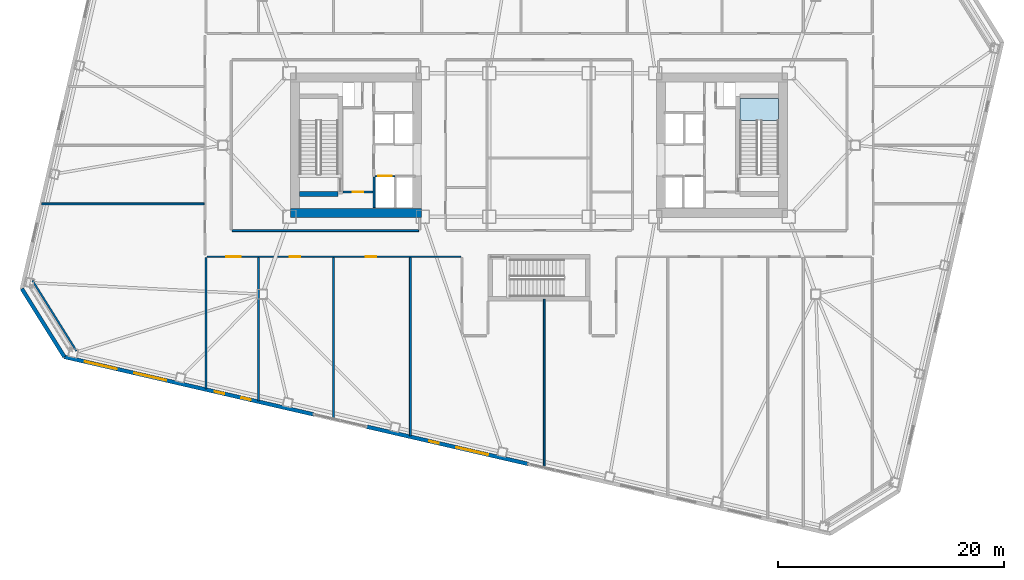
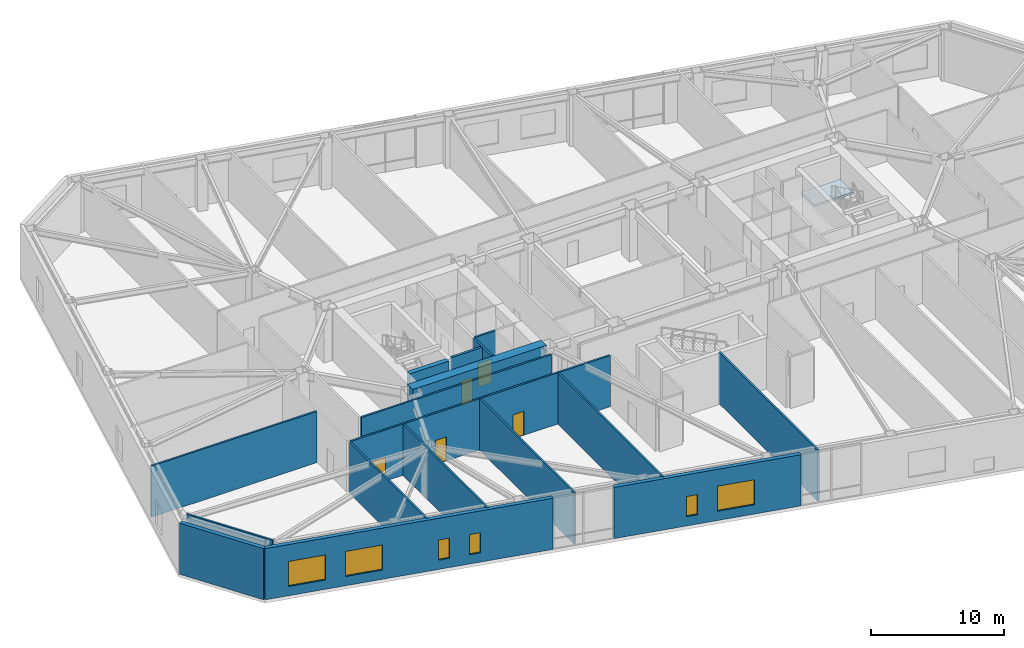
# One storey, part 9 of 20: 17 walls, 6 windows, 5 doors, 1 slab, 11 openings, 1 element without a shape of its own.
"""IFC4 building model written with IfcOpenShell, lengths in metres."""

import ifcopenshell
import ifcopenshell.guid

model = None  # the IFC model being written
_history = None  # IfcOwnerHistory: only IFC2X3 demands one
_inside = {}  # id of a spatial element -> (the spatial element, [elements in it])
_under = {}  # id of a project, library or spatial element -> (it, [spatial elements below it])
_declared = {}  # id of a project -> (the project, [libraries it declares])
_typed = {}  # id of a type object -> (the type object, [elements of that type])
_made_of = {}  # id of a material, layer set ... -> (it, [elements and type objects made of it])


def new_model(schema):
    """Start an empty IFC model of exactly this schema.

    Asked for "IFC4X3", IfcOpenShell would pick the latest addendum, in which some entities
    have other attributes; the version numbers below select the first issue.
    IFC2X3 requires an IfcOwnerHistory on every rooted entity: one is made here for all.
    """
    global model, _history
    if schema == "IFC4X3":
        model = ifcopenshell.file(schema_version=(4, 3, 0, 0))
    else:
        model = ifcopenshell.file(schema=schema)
    _inside.clear()
    _under.clear()
    _declared.clear()
    _typed.clear()
    _made_of.clear()
    _history = None
    if model.schema == "IFC2X3":
        org = make("IfcOrganization", Name="unknown")
        user = make(
            "IfcPersonAndOrganization",
            ThePerson=make("IfcPerson", FamilyName="unknown"),
            TheOrganization=org,
        )
        app = make(
            "IfcApplication",
            ApplicationDeveloper=org,
            Version="unknown",
            ApplicationFullName="unknown",
            ApplicationIdentifier="unknown",
        )
        _history = make(
            "IfcOwnerHistory",
            OwningUser=user,
            OwningApplication=app,
            ChangeAction="ADDED",
            CreationDate=0,
        )
    return model


def make(cls, **values):
    """One entity of the class cls with the attributes given. An attribute that is None is left unset."""
    return model.create_entity(
        cls, **{name: value for name, value in values.items() if value is not None}
    )


def rooted(cls, **values):
    """An entity with a GlobalId (a new one), such as an element, a storey or a relation."""
    return make(cls, GlobalId=ifcopenshell.guid.new(), OwnerHistory=_history, **values)


def si_unit(unit_type, name, prefix=None):
    """IfcSIUnit, for example si_unit("LENGTHUNIT", "METRE", prefix="MILLI")."""
    return make("IfcSIUnit", UnitType=unit_type, Prefix=prefix, Name=name)


def assignment(units):
    """IfcUnitAssignment: the units of a project."""
    return None if units is None else make("IfcUnitAssignment", Units=units)


def point(xyz):
    """IfcCartesianPoint."""
    return None if xyz is None else make("IfcCartesianPoint", Coordinates=xyz)


def direction(xyz):
    """IfcDirection."""
    return None if xyz is None else make("IfcDirection", DirectionRatios=xyz)


def frame(location, z_axis=None, x_axis=None):
    """IfcAxis2Placement3D, a coordinate frame: its origin and axes. An axis left out is left unset."""
    return make(
        "IfcAxis2Placement3D",
        Location=point(location),
        Axis=direction(z_axis),
        RefDirection=direction(x_axis),
    )


def frame_2d(location, x_axis=None):
    """IfcAxis2Placement2D, a coordinate frame in the plane: its origin and x axis."""
    return make(
        "IfcAxis2Placement2D", Location=point(location), RefDirection=direction(x_axis)
    )


def origin():
    """The frame at (0, 0, 0) with its axes left unset."""
    return frame((0.0, 0.0, 0.0))


def place(relative_to, where):
    """IfcLocalPlacement: puts the frame where relative to a parent placement (None: the world)."""
    return make(
        "IfcLocalPlacement", PlacementRelTo=relative_to, RelativePlacement=where
    )


def context(
    kind, dimensions, precision=None, world=None, true_north=None, identifier=None
):
    """IfcGeometricRepresentationContext, for example the 3D "Model" context."""
    return make(
        "IfcGeometricRepresentationContext",
        ContextIdentifier=identifier,
        ContextType=kind,
        CoordinateSpaceDimension=dimensions,
        Precision=precision,
        WorldCoordinateSystem=world,
        TrueNorth=true_north,
    )


def subcontext(parent, identifier, kind, view, scale=None):
    """IfcGeometricRepresentationSubContext, for example "Body" below "Model"."""
    return make(
        "IfcGeometricRepresentationSubContext",
        ContextIdentifier=identifier,
        ContextType=kind,
        ParentContext=parent,
        TargetScale=scale,
        TargetView=view,
    )


def project(units=None, contexts=None):
    """IfcProject with its units and contexts."""
    return rooted(
        "IfcProject",
        Name="project",
        RepresentationContexts=contexts,
        UnitsInContext=assignment(units),
    )


def spatial(cls, under=None, at=None, **own):
    """A site, building, storey or space (cls), placed at a placement, below another one or the project."""
    s = rooted(cls, ObjectPlacement=at, **own)
    if under is not None:
        _under.setdefault(under.id(), (under, []))[1].append(s)
    return s


def polyline(points):
    """IfcPolyline through the points."""
    return make("IfcPolyline", Points=[point(p) for p in points])


def profile(cls, at=None, kind="AREA", **sizes):
    """A parametric profile (cls). Its sizes go by their IFC names, for example OverallWidth=200.0."""
    return make(cls, ProfileType=kind, Position=at, **sizes)


def rectangle(**sizes):
    """IfcRectangleProfileDef."""
    return profile("IfcRectangleProfileDef", **sizes)


def outline(outer, holes=None, kind="AREA"):
    """IfcArbitraryClosedProfileDef: a profile drawn as a closed curve; with holes, ...WithVoids."""
    if holes is None:
        return make("IfcArbitraryClosedProfileDef", ProfileType=kind, OuterCurve=outer)
    return make(
        "IfcArbitraryProfileDefWithVoids",
        ProfileType=kind,
        OuterCurve=outer,
        InnerCurves=holes,
    )


def extrude(swept, where, along, depth):
    """IfcExtrudedAreaSolid: the profile swept, set in the frame where, extruded along a direction by depth."""
    return make(
        "IfcExtrudedAreaSolid",
        SweptArea=swept,
        Position=where,
        ExtrudedDirection=direction(along),
        Depth=depth,
    )


def shape(context_of_items, identifier, shape_type, items):
    """IfcShapeRepresentation: the items that make up one representation, for example the "Body"."""
    return make(
        "IfcShapeRepresentation",
        ContextOfItems=context_of_items,
        RepresentationIdentifier=identifier,
        RepresentationType=shape_type,
        Items=items,
    )


def material(Name=None, Category=None):
    """IfcMaterial."""
    return make("IfcMaterial", Name=Name, Category=Category)


def layer(
    of_material, thickness, ventilated=None, Name=None, Category=None, Priority=None
):
    """IfcMaterialLayer: one layer of a wall or slab, of a material (None: an air gap)."""
    return make(
        "IfcMaterialLayer",
        Material=of_material,
        LayerThickness=thickness,
        IsVentilated=ventilated,
        Name=Name,
        Category=Category,
        Priority=Priority,
    )


def layer_set(layers, Name=None):
    """IfcMaterialLayerSet."""
    return make("IfcMaterialLayerSet", MaterialLayers=layers, LayerSetName=Name)


def made_of(thing, what):
    """Note that an element or type object is made of a material, layer set ...; save() writes the relation."""
    if what is not None:
        _made_of.setdefault(what.id(), (what, []))[1].append(thing)
    return thing


def type_object(cls, material=None, **own):
    """A type object (cls), such as IfcWallType, which elements share."""
    return made_of(rooted(cls, **own), material)


def element(
    cls,
    number,
    at=None,
    inside=None,
    cuts=None,
    type_object=None,
    material=None,
    context=None,
    identifier="Body",
    shape_type=None,
    held_by="IfcProductDefinitionShape",
    body=None,
    shapes=None,
    **own,
):
    """One element of the class cls, such as IfcWall. Its Tag is "e" and its number.

    at: its placement. inside: the storey or other place that contains it. cuts: it is an
    opening in that element (IfcRelVoidsElement). A single representation is given by context,
    identifier, shape_type and body (its items); several are given by shapes. held_by: the class
    of the entity that holds the representations. save() writes the other relations.
    """
    e = rooted(cls, Tag="e%d" % number, ObjectPlacement=at, **own)
    if body is not None:
        shapes = [shape(context, identifier, shape_type, body)]
    if shapes is not None:
        e.Representation = make(held_by, Representations=shapes)
    if inside is not None:
        _inside.setdefault(inside.id(), (inside, []))[1].append(e)
    if cuts is not None:
        rooted(
            "IfcRelVoidsElement", RelatingBuildingElement=cuts, RelatedOpeningElement=e
        )
    if type_object is not None:
        _typed.setdefault(type_object.id(), (type_object, []))[1].append(e)
    return made_of(e, material)


def fill(opening, filler):
    """IfcRelFillsElement: the door or window that sits in an opening."""
    return rooted(
        "IfcRelFillsElement",
        RelatingOpeningElement=opening,
        RelatedBuildingElement=filler,
    )


def aggregate(whole, parts):
    """IfcRelAggregates: a whole, such as a stair, and the parts it consists of."""
    return rooted("IfcRelAggregates", RelatingObject=whole, RelatedObjects=parts)


def save(model, path):
    """Write the relations noted so far, then the file.

    IfcRelAggregates (storeys below a building ...), IfcRelContainedInSpatialStructure (elements
    in a storey), IfcRelDefinesByType, IfcRelAssociatesMaterial and IfcRelDeclares: one each for
    every whole, place, type object, material and project.
    """
    for whole, parts in _under.values():
        aggregate(whole, parts)
    for where, things in _inside.values():
        rooted(
            "IfcRelContainedInSpatialStructure",
            RelatedElements=things,
            RelatingStructure=where,
        )
    for kind, things in _typed.values():
        rooted("IfcRelDefinesByType", RelatedObjects=things, RelatingType=kind)
    for what, things in _made_of.values():
        rooted("IfcRelAssociatesMaterial", RelatedObjects=things, RelatingMaterial=what)
    for by, libraries in _declared.values():
        rooted("IfcRelDeclares", RelatingContext=by, RelatedDefinitions=libraries)
    model.write(path)


model = new_model("IFC4")

# Units and contexts
model_context = context("Model", 3, precision=1e-05, world=origin(), true_north=direction((0.0, 1.0)))
body_context = subcontext(model_context, "Body", "Model", "MODEL_VIEW")
ifc_project = project(units=[si_unit("LENGTHUNIT", "METRE"), si_unit("AREAUNIT", "SQUARE_METRE"), si_unit("VOLUMEUNIT", "CUBIC_METRE"), si_unit("PLANEANGLEUNIT", "RADIAN"), si_unit("MASSUNIT", "GRAM", prefix="KILO")], contexts=[model_context])

# Site, building, storey
site_placement = place(None, origin())
site = spatial("IfcSite", under=ifc_project, at=site_placement, CompositionType="ELEMENT")
building_placement = place(site_placement, origin())
building = spatial("IfcBuilding", under=site, at=building_placement, Name="Tavrogorsk Clinical Tower", CompositionType="ELEMENT")
storey_placement = place(building_placement, frame((0.0, 0.0, 23.39990234375)))
storey = spatial("IfcBuildingStorey", under=building, at=storey_placement, Name="L04", CompositionType="ELEMENT", Elevation=23.39990234375)

# Stair, slab
ifc_material_1 = material(Name="Concrete B60", Category="concrete")
stair_type = type_object("IfcStairType", Name="CoreStairAssembly", PredefinedType="HALF_TURN_STAIR", material=ifc_material_1)
stair_placement = place(storey_placement, origin())
stair = element("IfcStair", 1, at=stair_placement, inside=storey, type_object=stair_type, Name="L04 ST-E", PredefinedType="HALF_TURN_STAIR")
ifc_material_2 = material(Name="Concrete B60", Category="concrete")
ifc_layer_1 = layer(ifc_material_2, 0.199951171875)
ifc_layer_set_1 = layer_set([ifc_layer_1], Name="Concrete B60")
slab_type = type_object("IfcSlabType", Name="StairLanding_200", PredefinedType="LANDING", material=ifc_layer_set_1)
slab_placement = place(storey_placement, frame((0.0, 0.0, 2.300048828125)))
slab = element("IfcSlab", 2, at=slab_placement, type_object=slab_type, Name="ST-E landing 1", PredefinedType="LANDING", context=body_context, shape_type="SweptSolid", body=[
    extrude(outline(polyline([(21.199951171875, 2.18505859375), (21.199951171875, 4.125), (17.800048828125, 4.125), (17.800048828125, 2.18505859375), (21.199951171875, 2.18505859375)])), origin(), (0.0, 0.0, 1.0), 0.199951171875),
])
aggregate(stair, [slab])

# Wall, opening, door
ifc_material_3 = material(Name="Concrete B60", Category="concrete")
ifc_layer_2 = layer(ifc_material_3, 0.199951171875)
ifc_layer_set_2 = layer_set([ifc_layer_2], Name="Concrete B60")
wall_type_1 = type_object("IfcWallType", Name="CoreFireWall_200", PredefinedType="SOLIDWALL", material=ifc_layer_set_2)
wall_1_placement = place(storey_placement, frame((-17.3798828125, -4.139892578125, 0.0), z_axis=(0.0, 0.0, 1.0), x_axis=(1.0, 0.0, 0.0)))
wall_1 = element("IfcWall", 3, at=wall_1_placement, inside=storey, type_object=wall_type_1, Name="L04 Core West South Core Room Fire Wall", PredefinedType="SOLIDWALL", context=body_context, shape_type="SweptSolid", body=[
    extrude(rectangle(XDim=2.659912109375, YDim=0.199951171875, at=frame_2d((1.330078125, 0.0))), origin(), (0.0, 0.0, 1.0), 4.7001953125),
])
opening_1_placement = place(wall_1_placement, frame((0.8798828125, 0.0, 0.0)))
opening_1 = element("IfcOpeningElement", 4, at=opening_1_placement, cuts=wall_1, Name="Opening ID-02", PredefinedType="OPENING", context=body_context, shape_type="SweptSolid", body=[
    extrude(rectangle(XDim=0.949951171875, YDim=2.199951171875, at=frame_2d((0.47509765625, 1.10009765625))), frame((0.0, 0.10986328125, 0.0), z_axis=(0.0, -1.0, 0.0), x_axis=(1.0, 0.0, 0.0)), (0.0, 0.0, 1.0), 0.219970703125),
])
ifc_material_4 = material(Name="Laminated timber leaf on aluminium frame", Category="wood")
door_type_1 = type_object("IfcDoorType", Name="InteriorDoor_ID02_950", OperationType="NOTDEFINED", PredefinedType="DOOR", material=ifc_material_4)
door_1_placement = place(opening_1_placement, origin())
door_1 = element("IfcDoor", 5, at=door_1_placement, inside=storey, type_object=door_type_1, Name="L04 Core West South Core Room Door", OperationType="SINGLE_SWING_RIGHT", OverallHeight=2.199951171875, OverallWidth=0.949951171875, PredefinedType="DOOR", context=body_context, shape_type="SweptSolid", body=[
    extrude(rectangle(XDim=0.949951171875, YDim=2.199951171875, at=frame_2d((0.47509765625, 1.10009765625))), frame((0.0, 0.02490234375, 0.0), z_axis=(0.0, -1.0, 0.0), x_axis=(1.0, 0.0, 0.0)), (0.0, 0.0, 1.0), 0.050048828125),
])
fill(opening_1, door_1)

# Wall
ifc_material_5 = material(Name="Lightweight concrete blockwork B15", Category="masonry")
ifc_layer_3 = layer(ifc_material_5, 0.159912109375)
ifc_layer_set_3 = layer_set([ifc_layer_3], Name="Lightweight concrete blockwork B15")
wall_type_2 = type_object("IfcWallType", Name="PartitionWall_160", PredefinedType="PARTITIONING", material=ifc_layer_set_3)
wall_2_placement = place(storey_placement, frame((-44.85986328125, -11.9892578125, 0.0), z_axis=(0.0, 0.0, 1.0), x_axis=(0.52991239767, -0.848052386823, 0.0)))
element("IfcWall", 6, at=wall_2_placement, inside=storey, type_object=wall_type_2, Name="L04 Corner Exoskeleton Brace Furring Wall 4", PredefinedType="PARTITIONING", context=body_context, shape_type="SweptSolid", body=[
    extrude(rectangle(XDim=7.35400390625, YDim=0.159912109375, at=frame_2d((3.677001953125, 0.0))), origin(), (0.0, 0.0, 1.0), 4.7001953125),
])

# Wall, openings, doors
wall_3_placement = place(storey_placement, frame((-6.9150390625, -9.8798828125, 0.0), z_axis=(0.0, 0.0, 1.0), x_axis=(-1.0, 0.0, 0.0)))
wall_3 = element("IfcWall", 7, at=wall_3_placement, inside=storey, type_object=wall_type_2, Name="L04 Corridor Partition 11", PredefinedType="PARTITIONING", context=body_context, shape_type="SweptSolid", body=[
    extrude(rectangle(XDim=22.5, YDim=0.159912109375, at=frame_2d((11.25, 0.0))), origin(), (0.0, 0.0, 1.0), 4.7001953125),
])
opening_2_placement = place(wall_3_placement, frame((19.5009765625, 0.0, 0.0)))
opening_2 = element("IfcOpeningElement", 8, at=opening_2_placement, cuts=wall_3, Name="Opening ID-01", PredefinedType="OPENING", context=body_context, shape_type="SweptSolid", body=[
    extrude(rectangle(XDim=1.300048828125, YDim=2.199951171875, at=frame_2d((0.64990234375, 1.10009765625))), frame((0.0, 0.08984375, 0.0), z_axis=(0.0, -1.0, 0.0), x_axis=(1.0, 0.0, 0.0)), (0.0, 0.0, 1.0), 0.179931640625),
])
opening_3_placement = place(wall_3_placement, frame((14.219970703125, 0.0, 0.0)))
opening_3 = element("IfcOpeningElement", 9, at=opening_3_placement, cuts=wall_3, Name="Opening ID-02", PredefinedType="OPENING", context=body_context, shape_type="SweptSolid", body=[
    extrude(rectangle(XDim=0.949951171875, YDim=2.199951171875, at=frame_2d((0.47509765625, 1.10009765625))), frame((0.0, 0.08984375, 0.0), z_axis=(0.0, -1.0, 0.0), x_axis=(1.0, 0.0, 0.0)), (0.0, 0.0, 1.0), 0.179931640625),
])
opening_4_placement = place(wall_3_placement, frame((7.4951171875, 0.0, 0.0)))
opening_4 = element("IfcOpeningElement", 10, at=opening_4_placement, cuts=wall_3, Name="Opening ID-02", PredefinedType="OPENING", context=body_context, shape_type="SweptSolid", body=[
    extrude(rectangle(XDim=0.949951171875, YDim=2.199951171875, at=frame_2d((0.47509765625, 1.10009765625))), frame((0.0, 0.08984375, 0.0), z_axis=(0.0, -1.0, 0.0), x_axis=(1.0, 0.0, 0.0)), (0.0, 0.0, 1.0), 0.179931640625),
])
door_2_placement = place(opening_3_placement, origin())
door_2 = element("IfcDoor", 11, at=door_2_placement, inside=storey, type_object=door_type_1, Name="L04 South Soiled Theatre Sluice Room 02 Door", OperationType="SINGLE_SWING_RIGHT", OverallHeight=2.199951171875, OverallWidth=0.949951171875, PredefinedType="DOOR", context=body_context, shape_type="SweptSolid", body=[
    extrude(rectangle(XDim=0.949951171875, YDim=2.199951171875, at=frame_2d((0.47509765625, 1.10009765625))), frame((0.0, 0.02490234375, 0.0), z_axis=(0.0, -1.0, 0.0), x_axis=(1.0, 0.0, 0.0)), (0.0, 0.0, 1.0), 0.050048828125),
])
fill(opening_3, door_2)
door_3_placement = place(opening_4_placement, origin())
door_3 = element("IfcDoor", 12, at=door_3_placement, inside=storey, type_object=door_type_1, Name="L04 South Perioperative Charge Office 03 Door", OperationType="SINGLE_SWING_LEFT", OverallHeight=2.199951171875, OverallWidth=0.949951171875, PredefinedType="DOOR", context=body_context, shape_type="SweptSolid", body=[
    extrude(rectangle(XDim=0.949951171875, YDim=2.199951171875, at=frame_2d((0.47509765625, 1.10009765625))), frame((0.0, 0.02490234375, 0.0), z_axis=(0.0, -1.0, 0.0), x_axis=(1.0, 0.0, 0.0)), (0.0, 0.0, 1.0), 0.050048828125),
])
fill(opening_4, door_3)
ifc_material_6 = material(Name="Antibacterial HPL medical leaf on aluminium frame", Category="aluminium")
door_type_2 = type_object("IfcDoorType", Name="WardBedDoor_ID01_1300", OperationType="NOTDEFINED", PredefinedType="DOOR", material=ifc_material_6)
door_4_placement = place(opening_2_placement, origin())
door_4 = element("IfcDoor", 13, at=door_4_placement, inside=storey, type_object=door_type_2, Name="L04 South Surgical Post-Anaesthesia Recovery 01 Door", OperationType="SINGLE_SWING_LEFT", OverallHeight=2.199951171875, OverallWidth=1.300048828125, PredefinedType="DOOR", context=body_context, shape_type="SweptSolid", body=[
    extrude(rectangle(XDim=1.300048828125, YDim=2.199951171875, at=frame_2d((0.64990234375, 1.10009765625))), frame((0.0, 0.02490234375, 0.0), z_axis=(0.0, -1.0, 0.0), x_axis=(1.0, 0.0, 0.0)), (0.0, 0.0, 1.0), 0.050048828125),
])
fill(opening_2, door_4)

# Walls
wall_4_placement = place(storey_placement, frame((-27.18505859375, -7.570068359375, 0.0), z_axis=(0.0, 0.0, 1.0), x_axis=(1.0, 0.0, 0.0)))
element("IfcWall", 14, at=wall_4_placement, inside=storey, type_object=wall_type_2, Name="L04 Corridor Partition 25", PredefinedType="PARTITIONING", context=body_context, shape_type="SweptSolid", body=[
    extrude(rectangle(XDim=16.52001953125, YDim=0.159912109375, at=frame_2d((8.260009765625, 0.0))), origin(), (0.0, 0.0, 1.0), 4.7001953125),
])
wall_5_placement = place(storey_placement, frame((-29.5, -21.570556640625, 0.0), z_axis=(0.0, 0.0, 1.0), x_axis=(0.0, 1.0, 0.0)))
element("IfcWall", 15, at=wall_5_placement, inside=storey, type_object=wall_type_2, Name="L04 SW Wing Closure Partition", PredefinedType="PARTITIONING", context=body_context, shape_type="SweptSolid", body=[
    extrude(rectangle(XDim=11.60546875, YDim=0.159912109375, at=frame_2d((5.802734375, 0.0))), origin(), (0.0, 0.0, 1.0), 4.7001953125),
])
wall_6_placement = place(storey_placement, frame((-24.85009765625, -22.64404296875, 0.0), z_axis=(0.0, 0.0, 1.0), x_axis=(0.0, 1.0, 0.0)))
element("IfcWall", 16, at=wall_6_placement, inside=storey, type_object=wall_type_2, Name="L04 South Room Partition 1", PredefinedType="PARTITIONING", context=body_context, shape_type="SweptSolid", body=[
    extrude(rectangle(XDim=12.678955078125, YDim=0.159912109375, at=frame_2d((6.33935546875, 0.0))), origin(), (0.0, 0.0, 1.0), 4.7001953125),
])
wall_7_placement = place(storey_placement, frame((-18.199951171875, -24.179443359375, 0.0), z_axis=(0.0, 0.0, 1.0), x_axis=(0.0, 1.0, 0.0)))
element("IfcWall", 17, at=wall_7_placement, inside=storey, type_object=wall_type_2, Name="L04 South Room Partition 2", PredefinedType="PARTITIONING", context=body_context, shape_type="SweptSolid", body=[
    extrude(rectangle(XDim=14.21435546875, YDim=0.159912109375, at=frame_2d((7.107177734375, 0.0))), origin(), (0.0, 0.0, 1.0), 4.7001953125),
])
wall_8_placement = place(storey_placement, frame((-11.39990234375, -25.749267578125, 0.0), z_axis=(0.0, 0.0, 1.0), x_axis=(0.0, 1.0, 0.0)))
element("IfcWall", 18, at=wall_8_placement, inside=storey, type_object=wall_type_2, Name="L04 South Room Partition 3", PredefinedType="PARTITIONING", context=body_context, shape_type="SweptSolid", body=[
    extrude(rectangle(XDim=15.7841796875, YDim=0.159912109375, at=frame_2d((7.89208984375, 0.0))), origin(), (0.0, 0.0, 1.0), 4.7001953125),
])
wall_9_placement = place(storey_placement, frame((0.449951171875, -28.485107421875, 0.0), z_axis=(0.0, 0.0, 1.0), x_axis=(0.0, 1.0, 0.0)))
element("IfcWall", 19, at=wall_9_placement, inside=storey, type_object=wall_type_2, Name="L04 South Sub-Partition 4", PredefinedType="PARTITIONING", context=body_context, shape_type="SweptSolid", body=[
    extrude(rectangle(XDim=14.84521484375, YDim=0.159912109375, at=frame_2d((7.422607421875, 0.0))), origin(), (0.0, 0.0, 1.0), 4.7001953125),
])
wall_10_placement = place(storey_placement, frame((-44.0419921875, -5.199951171875, 0.0), z_axis=(0.0, 0.0, 1.0), x_axis=(1.0, 0.0, 0.0)))
element("IfcWall", 20, at=wall_10_placement, inside=storey, type_object=wall_type_2, Name="L04 W Wing Divider 1", PredefinedType="PARTITIONING", context=body_context, shape_type="SweptSolid", body=[
    extrude(rectangle(XDim=14.376953125, YDim=0.159912109375, at=frame_2d((7.1884765625, 0.0))), origin(), (0.0, 0.0, 1.0), 4.7001953125),
])

# Wall, openings, windows
ifc_material_7 = material(Name="Precast concrete B45 with limestone cladding", Category="masonry")
ifc_layer_4 = layer(ifc_material_7, 0.340087890625)
ifc_layer_set_4 = layer_set([ifc_layer_4], Name="Precast concrete B45 with limestone cladding")
wall_type_3 = type_object("IfcWallType", Name="PrecastLimestoneWall_340", PredefinedType="STANDARD", material=ifc_layer_set_4)
wall_11_placement = place(storey_placement, frame((-42.028564453125, -18.75, 0.0), z_axis=(0.0, 0.0, 1.0), x_axis=(0.97436993772, -0.224951604723, 0.0)))
wall_11 = element("IfcWall", 21, at=wall_11_placement, inside=storey, type_object=wall_type_3, Name="L04 S Limestone Facade Wall 1", PredefinedType="STANDARD", context=body_context, shape_type="SweptSolid", body=[
    extrude(rectangle(XDim=22.6513671875, YDim=0.340087890625, at=frame_2d((11.32568359375, 0.0))), origin(), (0.0, 0.0, 1.0), 4.7001953125),
])
opening_5_placement = place(wall_11_placement, frame((1.862060546875, 0.0, 0.85009765625)))
opening_5 = element("IfcOpeningElement", 22, at=opening_5_placement, cuts=wall_11, Name="Opening WN-10", PredefinedType="OPENING", context=body_context, shape_type="SweptSolid", body=[
    extrude(rectangle(XDim=2.89990234375, YDim=2.300048828125, at=frame_2d((1.449951171875, 1.14990234375))), frame((0.0, 0.179931640625, 0.0), z_axis=(0.0, -1.0, 0.0), x_axis=(1.0, 0.0, 0.0)), (0.0, 0.0, 1.0), 0.360107421875),
])
opening_6_placement = place(wall_11_placement, frame((6.346435546875, 0.0, 0.85009765625)))
opening_6 = element("IfcOpeningElement", 23, at=opening_6_placement, cuts=wall_11, Name="Opening WN-10", PredefinedType="OPENING", context=body_context, shape_type="SweptSolid", body=[
    extrude(rectangle(XDim=2.89990234375, YDim=2.300048828125, at=frame_2d((1.449951171875, 1.14990234375))), frame((0.0, 0.179931640625, 0.0), z_axis=(0.0, -1.0, 0.0), x_axis=(1.0, 0.0, 0.0)), (0.0, 0.0, 1.0), 0.360107421875),
])
opening_7_placement = place(wall_11_placement, frame((13.66064453125, 0.0, 0.85009765625)))
opening_7 = element("IfcOpeningElement", 24, at=opening_7_placement, cuts=wall_11, Name="Opening WN-06", PredefinedType="OPENING", context=body_context, shape_type="SweptSolid", body=[
    extrude(rectangle(XDim=0.85009765625, YDim=1.85009765625, at=frame_2d((0.425048828125, 0.925048828125))), frame((0.0, 0.179931640625, 0.0), z_axis=(0.0, -1.0, 0.0), x_axis=(1.0, 0.0, 0.0)), (0.0, 0.0, 1.0), 0.360107421875),
])
opening_8_placement = place(wall_11_placement, frame((16.094970703125, 0.0, 0.85009765625)))
opening_8 = element("IfcOpeningElement", 25, at=opening_8_placement, cuts=wall_11, Name="Opening WN-06", PredefinedType="OPENING", context=body_context, shape_type="SweptSolid", body=[
    extrude(rectangle(XDim=0.85009765625, YDim=1.85009765625, at=frame_2d((0.425048828125, 0.925048828125))), frame((0.0, 0.179931640625, 0.0), z_axis=(0.0, -1.0, 0.0), x_axis=(1.0, 0.0, 0.0)), (0.0, 0.0, 1.0), 0.360107421875),
])
ifc_material_8 = material(Name="Thermally broken aluminium frame and triple IGU", Category="aluminium")
window_type_1 = type_object("IfcWindowType", Name="DiagnosticWin_2900x2300", PartitioningType="TRIPLE_PANEL_HORIZONTAL", PredefinedType="WINDOW", material=ifc_material_8)
window_1_placement = place(opening_5_placement, origin())
window_1 = element("IfcWindow", 26, at=window_1_placement, inside=storey, type_object=window_type_1, Name="L04 S Chicago Window 01", OverallHeight=2.300048828125, OverallWidth=2.89990234375, PartitioningType="SINGLE_PANEL", PredefinedType="WINDOW", context=body_context, shape_type="SweptSolid", body=[
    extrude(rectangle(XDim=2.89990234375, YDim=2.300048828125, at=frame_2d((1.449951171875, 1.14990234375))), frame((0.0, 0.030029296875, 0.0), z_axis=(0.0, -1.0, 0.0), x_axis=(1.0, 0.0, 0.0)), (0.0, 0.0, 1.0), 0.06005859375),
])
fill(opening_5, window_1)
window_2_placement = place(opening_6_placement, origin())
window_2 = element("IfcWindow", 27, at=window_2_placement, inside=storey, type_object=window_type_1, Name="L04 S Chicago Window 02", OverallHeight=2.300048828125, OverallWidth=2.89990234375, PartitioningType="SINGLE_PANEL", PredefinedType="WINDOW", context=body_context, shape_type="SweptSolid", body=[
    extrude(rectangle(XDim=2.89990234375, YDim=2.300048828125, at=frame_2d((1.449951171875, 1.14990234375))), frame((0.0, 0.030029296875, 0.0), z_axis=(0.0, -1.0, 0.0), x_axis=(1.0, 0.0, 0.0)), (0.0, 0.0, 1.0), 0.06005859375),
])
fill(opening_6, window_2)
ifc_material_9 = material(Name="Thermally broken aluminium frame and triple IGU", Category="aluminium")
window_type_2 = type_object("IfcWindowType", Name="MullionSubWin_850x1850", PartitioningType="SINGLE_PANEL", PredefinedType="WINDOW", material=ifc_material_9)
window_3_placement = place(opening_7_placement, origin())
window_3 = element("IfcWindow", 28, at=window_3_placement, inside=storey, type_object=window_type_2, Name="L04 S Mullion Split Window 03B", OverallHeight=1.85009765625, OverallWidth=0.85009765625, PartitioningType="SINGLE_PANEL", PredefinedType="WINDOW", context=body_context, shape_type="SweptSolid", body=[
    extrude(rectangle(XDim=0.85009765625, YDim=1.85009765625, at=frame_2d((0.425048828125, 0.925048828125))), frame((0.0, 0.030029296875, 0.0), z_axis=(0.0, -1.0, 0.0), x_axis=(1.0, 0.0, 0.0)), (0.0, 0.0, 1.0), 0.06005859375),
])
fill(opening_7, window_3)
window_4_placement = place(opening_8_placement, origin())
window_4 = element("IfcWindow", 29, at=window_4_placement, inside=storey, type_object=window_type_2, Name="L04 S Mullion Split Window 04A", OverallHeight=1.85009765625, OverallWidth=0.85009765625, PartitioningType="SINGLE_PANEL", PredefinedType="WINDOW", context=body_context, shape_type="SweptSolid", body=[
    extrude(rectangle(XDim=0.85009765625, YDim=1.85009765625, at=frame_2d((0.425048828125, 0.925048828125))), frame((0.0, 0.030029296875, 0.0), z_axis=(0.0, -1.0, 0.0), x_axis=(1.0, 0.0, 0.0)), (0.0, 0.0, 1.0), 0.06005859375),
])
fill(opening_8, window_4)

wall_12_placement = place(storey_placement, frame((-15.28076171875, -24.925048828125, 0.0), z_axis=(0.0, 0.0, 1.0), x_axis=(0.974370193991, -0.22495049469, 0.0)))
wall_12 = element("IfcWall", 30, at=wall_12_placement, inside=storey, type_object=wall_type_3, Name="L04 S Limestone Facade Wall 2", PredefinedType="STANDARD", context=body_context, shape_type="SweptSolid", body=[
    extrude(rectangle(XDim=14.697265625, YDim=0.340087890625, at=frame_2d((7.3486328125, 0.0))), origin(), (0.0, 0.0, 1.0), 4.7001953125),
])
opening_9_placement = place(wall_12_placement, frame((5.706298828125, 0.0, 0.85009765625)))
opening_9 = element("IfcOpeningElement", 31, at=opening_9_placement, cuts=wall_12, Name="Opening WN-06", PredefinedType="OPENING", context=body_context, shape_type="SweptSolid", body=[
    extrude(rectangle(XDim=0.85009765625, YDim=1.85009765625, at=frame_2d((0.425048828125, 0.925048828125))), frame((0.0, 0.179931640625, 0.0), z_axis=(0.0, -1.0, 0.0), x_axis=(1.0, 0.0, 0.0)), (0.0, 0.0, 1.0), 0.360107421875),
])
opening_10_placement = place(wall_12_placement, frame((8.140869140625, 0.0, 0.85009765625)))
opening_10 = element("IfcOpeningElement", 32, at=opening_10_placement, cuts=wall_12, Name="Opening WN-10", PredefinedType="OPENING", context=body_context, shape_type="SweptSolid", body=[
    extrude(rectangle(XDim=2.89990234375, YDim=2.300048828125, at=frame_2d((1.449951171875, 1.14990234375))), frame((0.0, 0.179931640625, 0.0), z_axis=(0.0, -1.0, 0.0), x_axis=(1.0, 0.0, 0.0)), (0.0, 0.0, 1.0), 0.360107421875),
])
window_5_placement = place(opening_10_placement, origin())
window_5 = element("IfcWindow", 33, at=window_5_placement, inside=storey, type_object=window_type_1, Name="L04 S Chicago Window 06", OverallHeight=2.300048828125, OverallWidth=2.89990234375, PartitioningType="SINGLE_PANEL", PredefinedType="WINDOW", context=body_context, shape_type="SweptSolid", body=[
    extrude(rectangle(XDim=2.89990234375, YDim=2.300048828125, at=frame_2d((1.449951171875, 1.14990234375))), frame((0.0, 0.030029296875, 0.0), z_axis=(0.0, -1.0, 0.0), x_axis=(1.0, 0.0, 0.0)), (0.0, 0.0, 1.0), 0.06005859375),
])
fill(opening_10, window_5)
window_6_placement = place(opening_9_placement, origin())
window_6 = element("IfcWindow", 34, at=window_6_placement, inside=storey, type_object=window_type_2, Name="L04 S Mullion Split Window 05B", OverallHeight=1.85009765625, OverallWidth=0.85009765625, PartitioningType="SINGLE_PANEL", PredefinedType="WINDOW", context=body_context, shape_type="SweptSolid", body=[
    extrude(rectangle(XDim=0.85009765625, YDim=1.85009765625, at=frame_2d((0.425048828125, 0.925048828125))), frame((0.0, 0.030029296875, 0.0), z_axis=(0.0, -1.0, 0.0), x_axis=(1.0, 0.0, 0.0)), (0.0, 0.0, 1.0), 0.06005859375),
])
fill(opening_9, window_6)

# Wall
wall_13_placement = place(storey_placement, frame((-45.798095703125, -12.71728515625, 0.0), z_axis=(0.0, 0.0, 1.0), x_axis=(0.529906387556, -0.848056142261, 0.0)))
element("IfcWall", 35, at=wall_13_placement, inside=storey, type_object=wall_type_3, Name="L04 Chamfered Corner Wall 4", PredefinedType="STANDARD", context=body_context, shape_type="SweptSolid", body=[
    extrude(rectangle(XDim=7.113525390625, YDim=0.340087890625, at=frame_2d((3.556640625, 0.0))), origin(), (0.0, 0.0, 1.0), 4.7001953125),
])

# Wall, opening, door
ifc_material_10 = material(Name="Lightweight concrete blockwork B25", Category="masonry")
ifc_layer_5 = layer(ifc_material_10, 0.159912109375)
ifc_layer_set_5 = layer_set([ifc_layer_5], Name="Lightweight concrete blockwork B25")
wall_type_4 = type_object("IfcWallType", Name="ShaftWall_160", PredefinedType="PARTITIONING", material=ifc_layer_set_5)
wall_14_placement = place(storey_placement, frame((-14.530029296875, -2.75, 0.0), z_axis=(0.0, 0.0, 1.0), x_axis=(1.0, 0.0, 0.0)))
wall_14 = element("IfcWall", 36, at=wall_14_placement, inside=storey, type_object=wall_type_4, Name="L04 LP-L1 Lift Shaft Portal Wall", PredefinedType="PARTITIONING", context=body_context, shape_type="SweptSolid", body=[
    extrude(rectangle(XDim=1.760009765625, YDim=0.159912109375, at=frame_2d((0.8798828125, 0.0))), origin(), (0.0, 0.0, 1.0), 4.7001953125),
])
opening_11_placement = place(wall_14_placement, frame((0.280029296875, 0.0, 0.0)))
opening_11 = element("IfcOpeningElement", 37, at=opening_11_placement, cuts=wall_14, Name="Opening LD", PredefinedType="OPENING", context=body_context, shape_type="SweptSolid", body=[
    extrude(rectangle(XDim=1.199951171875, YDim=2.199951171875, at=frame_2d((0.60009765625, 1.10009765625))), frame((0.0, 0.08984375, 0.0), z_axis=(0.0, -1.0, 0.0), x_axis=(1.0, 0.0, 0.0)), (0.0, 0.0, 1.0), 0.179931640625),
])
ifc_material_11 = material(Name="Brushed stainless steel AISI 304 sliding doors", Category="steel")
door_type_3 = type_object("IfcDoorType", Name="LiftLandingDoor_LD_1200", OperationType="SLIDING_TO_LEFT", PredefinedType="DOOR", material=ifc_material_11)
door_5_placement = place(opening_11_placement, origin())
door_5 = element("IfcDoor", 38, at=door_5_placement, inside=storey, type_object=door_type_3, Name="L04 LP-L1 Sliding Lift Landing Door", OperationType="SLIDING_TO_LEFT", OverallHeight=2.199951171875, OverallWidth=1.199951171875, PredefinedType="DOOR", context=body_context, shape_type="SweptSolid", body=[
    extrude(rectangle(XDim=1.199951171875, YDim=2.199951171875, at=frame_2d((0.60009765625, 1.10009765625))), frame((0.0, 0.02490234375, 0.0), z_axis=(0.0, -1.0, 0.0), x_axis=(1.0, 0.0, 0.0)), (0.0, 0.0, 1.0), 0.050048828125),
])
fill(opening_11, door_5)

# Walls
wall_15_placement = place(storey_placement, frame((-14.610107421875, -5.5400390625, 0.0), z_axis=(0.0, 0.0, 1.0), x_axis=(0.0, 1.0, 0.0)))
element("IfcWall", 39, at=wall_15_placement, inside=storey, type_object=wall_type_4, Name="L04 LP-L1 Lift Hoistway Outer Cheek Wall", PredefinedType="PARTITIONING", context=body_context, shape_type="SweptSolid", body=[
    extrude(rectangle(XDim=2.699951171875, YDim=0.159912109375, at=frame_2d((1.35009765625, 0.0))), origin(), (0.0, 0.0, 1.0), 4.7001953125),
])
ifc_material_12 = material(Name="Concrete B80", Category="concrete")
ifc_layer_6 = layer(ifc_material_12, 0.39990234375)
ifc_layer_set_6 = layer_set([ifc_layer_6], Name="Concrete B80")
wall_type_5 = type_object("IfcWallType", Name="ShearWall_400", PredefinedType="SHEAR", material=ifc_layer_set_6)
wall_16_placement = place(storey_placement, frame((-21.199951171875, -4.324951171875, 0.0), z_axis=(0.0, 0.0, 1.0), x_axis=(1.0, 0.0, 0.0)))
element("IfcWall", 40, at=wall_16_placement, inside=storey, type_object=wall_type_5, Name="L04 Core West Stair Shaft South Shear Wall", PredefinedType="SHEAR", context=body_context, shape_type="SweptSolid", body=[
    extrude(rectangle(XDim=3.39990234375, YDim=0.39990234375, at=frame_2d((1.699951171875, 0.0))), origin(), (0.0, 0.0, 1.0), 4.7001953125),
])
ifc_material_13 = material(Name="Concrete B80", Category="concrete")
ifc_layer_7 = layer(ifc_material_13, 0.800048828125)
ifc_layer_set_7 = layer_set([ifc_layer_7], Name="Concrete B80")
wall_type_6 = type_object("IfcWallType", Name="ShearWall_800", PredefinedType="SHEAR", material=ifc_layer_set_7)
wall_17_placement = place(storey_placement, frame((-22.0, -6.0, 0.0), z_axis=(0.0, 0.0, 1.0), x_axis=(1.0, 0.0, 0.0)))
element("IfcWall", 41, at=wall_17_placement, inside=storey, type_object=wall_type_6, Name="L04 Core West South Shear Wall", PredefinedType="SHEAR", context=body_context, shape_type="SweptSolid", body=[
    extrude(rectangle(XDim=11.60009765625, YDim=0.800048828125, at=frame_2d((5.800048828125, 0.0))), origin(), (0.0, 0.0, 1.0), 4.7001953125),
])

save(model, "model.ifc")
